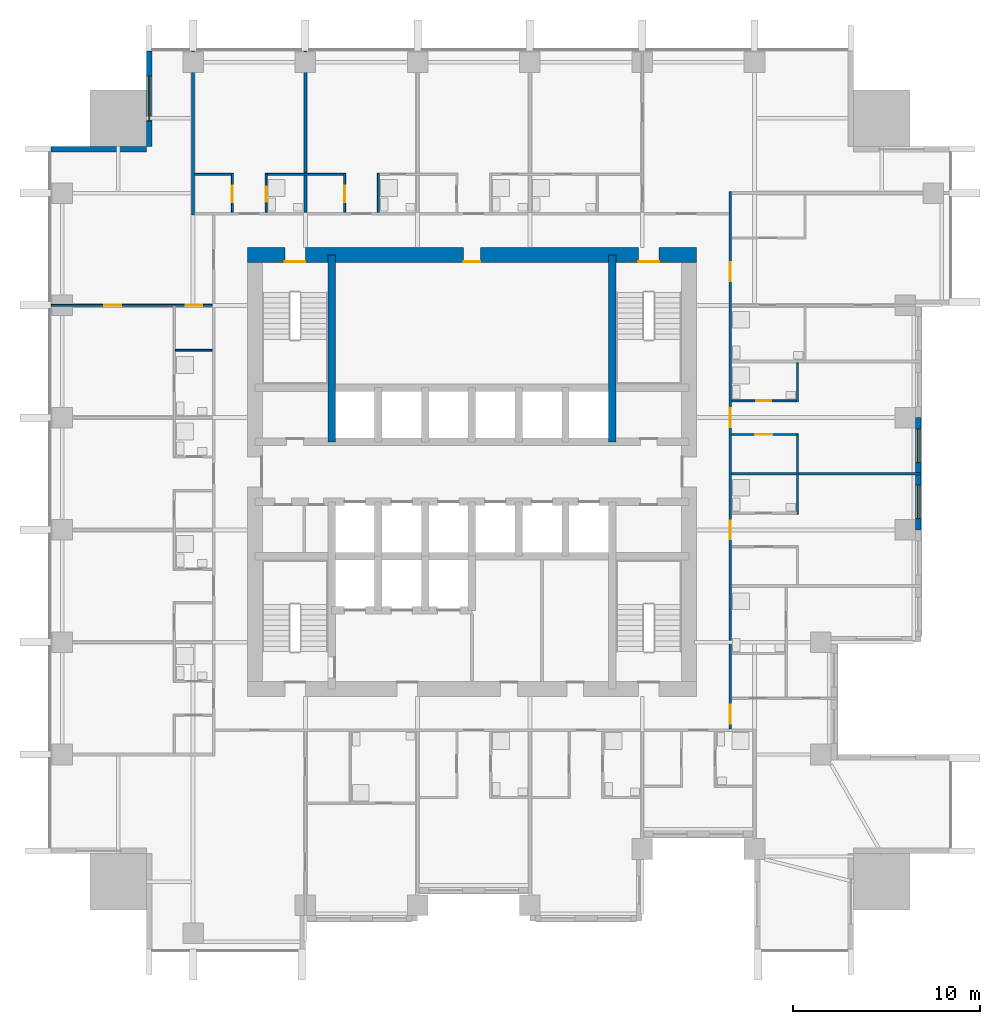
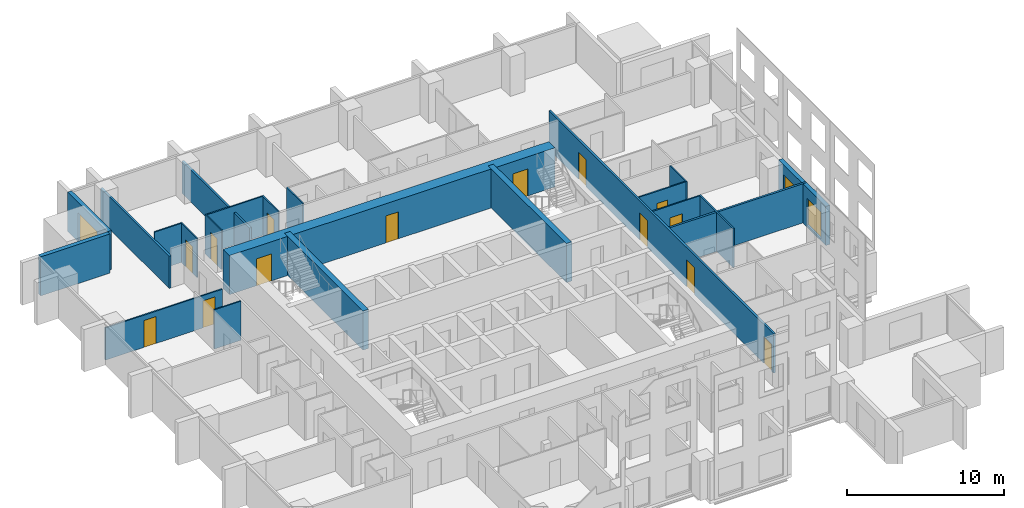
# One storey, part 7 of 12: 22 walls, 14 doors, 3 windows, 17 openings.
"""IFC4 building model written with IfcOpenShell, lengths in metres."""

from ifc_helpers import new_model, si_unit, direction, frame, frame_2d, origin, place, context, subcontext, project, spatial, rectangle, extrude, material, layer, layer_set, type_object, element, fill, save


model = new_model("IFC4")

# Units and contexts
model_context = context("Model", 3, precision=1e-05, world=origin(), true_north=direction((0.0, 1.0)))
body_context = subcontext(model_context, "Body", "Model", "MODEL_VIEW")
ifc_project = project(units=[si_unit("LENGTHUNIT", "METRE"), si_unit("AREAUNIT", "SQUARE_METRE"), si_unit("VOLUMEUNIT", "CUBIC_METRE"), si_unit("PLANEANGLEUNIT", "RADIAN"), si_unit("MASSUNIT", "GRAM", prefix="KILO")], contexts=[model_context])

# Site, building, storey
site_placement = place(None, origin())
site = spatial("IfcSite", under=ifc_project, at=site_placement, CompositionType="ELEMENT")
building_placement = place(site_placement, origin())
building = spatial("IfcBuilding", under=site, at=building_placement, Name="Amberfall Residences", CompositionType="ELEMENT")
storey_placement = place(building_placement, frame((0.0, 0.0, 88.60009765625)))
storey = spatial("IfcBuildingStorey", under=building, at=storey_placement, Name="L23", CompositionType="ELEMENT", Elevation=88.60009765625)

# Wall, opening, window
ifc_material_1 = material(Name="Pale stone cladding on insulated backing", Category="masonry")
ifc_layer_1 = layer(ifc_material_1, 0.300048828125)
ifc_layer_set_1 = layer_set([ifc_layer_1], Name="Bronze clad wall 300")
wall_type_1 = type_object("IfcWallType", Name="Bronze clad wall 300", PredefinedType="SOLIDWALL", material=ifc_layer_set_1)
wall_1_placement = place(storey_placement, frame((57.25, 68.0, 0.0), z_axis=(0.0, 0.0, 1.0), x_axis=(0.0, -1.0, 0.0)))
wall_1 = element("IfcWall", 1, at=wall_1_placement, inside=storey, type_object=wall_type_1, Name="External wall L23 NW", PredefinedType="SOLIDWALL", context=body_context, shape_type="SweptSolid", body=[
    extrude(rectangle(XDim=5.10009765625, YDim=0.300048828125, at=frame_2d((2.550048828125, 0.0))), origin(), (0.0, 0.0, 1.0), 3.0498046875),
])
opening_1_placement = place(wall_1_placement, frame((1.35009765625, 0.0, 0.14990234375)))
opening_1 = element("IfcOpeningElement", 2, at=opening_1_placement, cuts=wall_1, Name="Opening WN5", PredefinedType="OPENING", context=body_context, shape_type="SweptSolid", body=[
    extrude(rectangle(XDim=2.39990234375, YDim=2.10009765625, at=frame_2d((1.199951171875, 1.050048828125))), frame((0.0, 0.159912109375, 0.0), z_axis=(0.0, -1.0, 0.0), x_axis=(1.0, 0.0, 0.0)), (0.0, 0.0, 1.0), 0.320068359375),
])
ifc_material_2 = material(Name="Bronze aluminium framed glazing", Category="aluminium")
window_type_1 = type_object("IfcWindowType", Name="Glazed opening 2400 x 2100 bronze", PartitioningType="DOUBLE_PANEL_VERTICAL", PredefinedType="WINDOW", material=ifc_material_2)
window_1_placement = place(opening_1_placement, origin())
window_1 = element("IfcWindow", 3, at=window_1_placement, inside=storey, type_object=window_type_1, Name="Window L23 NW", OverallHeight=2.10009765625, OverallWidth=2.39990234375, PartitioningType="DOUBLE_PANEL_VERTICAL", PredefinedType="WINDOW", context=body_context, shape_type="SweptSolid", body=[
    extrude(rectangle(XDim=2.39990234375, YDim=2.10009765625, at=frame_2d((1.199951171875, 1.050048828125))), frame((0.0, 0.030029296875, 0.0), z_axis=(0.0, -1.0, 0.0), x_axis=(1.0, 0.0, 0.0)), (0.0, 0.0, 1.0), 0.06005859375),
])
fill(opening_1, window_1)

# Wall
wall_2_placement = place(storey_placement, frame((57.10009765625, 62.75, 0.0), z_axis=(0.0, 0.0, 1.0), x_axis=(-1.0, 0.0, 0.0)))
element("IfcWall", 4, at=wall_2_placement, inside=storey, type_object=wall_type_1, Name="External wall L23 NW", PredefinedType="SOLIDWALL", context=body_context, shape_type="SweptSolid", body=[
    extrude(rectangle(XDim=5.10009765625, YDim=0.300048828125, at=frame_2d((2.550048828125, 0.0))), origin(), (0.0, 0.0, 1.0), 3.0498046875),
])

# Wall, openings, windows
wall_3_placement = place(storey_placement, frame((98.35009765625, 42.39990234375, 0.0), z_axis=(0.0, 0.0, 1.0), x_axis=(0.0, 1.0, 0.0)))
wall_3 = element("IfcWall", 5, at=wall_3_placement, inside=storey, type_object=wall_type_1, Name="Stone wall L23 E", PredefinedType="SOLIDWALL", context=body_context, shape_type="SweptSolid", body=[
    extrude(rectangle(XDim=6.0, YDim=0.300048828125, at=frame_2d((3.0, 0.0))), origin(), (0.0, 0.0, 1.0), 3.0498046875),
])
opening_2_placement = place(wall_3_placement, frame((0.60009765625, 0.0, 0.14990234375)))
opening_2 = element("IfcOpeningElement", 6, at=opening_2_placement, cuts=wall_3, Name="Opening WN6", PredefinedType="OPENING", context=body_context, shape_type="SweptSolid", body=[
    extrude(rectangle(XDim=1.800048828125, YDim=2.10009765625, at=frame_2d((0.89990234375, 1.050048828125))), frame((0.0, 0.159912109375, 0.0), z_axis=(0.0, -1.0, 0.0), x_axis=(1.0, 0.0, 0.0)), (0.0, 0.0, 1.0), 0.320068359375),
])
opening_3_placement = place(wall_3_placement, frame((3.60009765625, 0.0, 0.14990234375)))
opening_3 = element("IfcOpeningElement", 7, at=opening_3_placement, cuts=wall_3, Name="Opening WN6", PredefinedType="OPENING", context=body_context, shape_type="SweptSolid", body=[
    extrude(rectangle(XDim=1.800048828125, YDim=2.10009765625, at=frame_2d((0.89990234375, 1.050048828125))), frame((0.0, 0.159912109375, 0.0), z_axis=(0.0, -1.0, 0.0), x_axis=(1.0, 0.0, 0.0)), (0.0, 0.0, 1.0), 0.320068359375),
])
window_type_2 = type_object("IfcWindowType", Name="Glazed opening 1800 x 2100 bronze", PartitioningType="DOUBLE_PANEL_VERTICAL", PredefinedType="WINDOW", material=ifc_material_2)
window_2_placement = place(opening_2_placement, origin())
window_2 = element("IfcWindow", 8, at=window_2_placement, inside=storey, type_object=window_type_2, Name="Window L23 E", OverallHeight=2.10009765625, OverallWidth=1.800048828125, PartitioningType="DOUBLE_PANEL_VERTICAL", PredefinedType="WINDOW", context=body_context, shape_type="SweptSolid", body=[
    extrude(rectangle(XDim=1.800048828125, YDim=2.10009765625, at=frame_2d((0.89990234375, 1.050048828125))), frame((0.0, 0.030029296875, 0.0), z_axis=(0.0, -1.0, 0.0), x_axis=(1.0, 0.0, 0.0)), (0.0, 0.0, 1.0), 0.06005859375),
])
fill(opening_2, window_2)
window_3_placement = place(opening_3_placement, origin())
window_3 = element("IfcWindow", 9, at=window_3_placement, inside=storey, type_object=window_type_2, Name="Window L23 E", OverallHeight=2.10009765625, OverallWidth=1.800048828125, PartitioningType="DOUBLE_PANEL_VERTICAL", PredefinedType="WINDOW", context=body_context, shape_type="SweptSolid", body=[
    extrude(rectangle(XDim=1.800048828125, YDim=2.10009765625, at=frame_2d((0.89990234375, 1.050048828125))), frame((0.0, 0.030029296875, 0.0), z_axis=(0.0, -1.0, 0.0), x_axis=(1.0, 0.0, 0.0)), (0.0, 0.0, 1.0), 0.06005859375),
])
fill(opening_3, window_3)

# Walls
ifc_material_3 = material(Name="Concrete C70", Category="concrete")
ifc_layer_2 = layer(ifc_material_3, 0.39990234375)
ifc_layer_set_2 = layer_set([ifc_layer_2], Name="Core wall 400 C70")
wall_type_2 = type_object("IfcWallType", Name="Core wall 400 C70", PredefinedType="SHEAR", material=ifc_layer_set_2)
for number, where, z_axis, x_axis, name in (
    (10, (67.0, 47.10009765625, 0.0), (0.0, 0.0, 1.0), (0.0, 1.0, 0.0), "Core wall RW4 L23 V45N"),
    (11, (82.0, 47.10009765625, 0.0), (0.0, 0.0, 1.0), (0.0, 1.0, 0.0), "Core wall RW4 L23 V195N"),
):
    element("IfcWall", number, at=place(storey_placement, frame(where, z_axis=z_axis, x_axis=x_axis)), inside=storey, type_object=wall_type_2, Name=name, PredefinedType="SHEAR", context=body_context, shape_type="SweptSolid", body=[
        extrude(rectangle(XDim=10.0, YDim=0.39990234375, at=frame_2d((5.0, 0.0))), origin(), (0.0, 0.0, 1.0), 3.0498046875),
    ])

# Wall, openings, doors
ifc_layer_3 = layer(ifc_material_3, 0.800048828125)
ifc_layer_set_3 = layer_set([ifc_layer_3], Name="Core wall 800 C70")
wall_type_3 = type_object("IfcWallType", Name="Core wall 800 C70", PredefinedType="SHEAR", material=ifc_layer_set_3)
wall_4_placement = place(storey_placement, frame((62.5, 57.10009765625, 0.0), z_axis=(0.0, 0.0, 1.0), x_axis=(1.0, 0.0, 0.0)))
wall_4 = element("IfcWall", 12, at=wall_4_placement, inside=storey, type_object=wall_type_3, Name="Core wall RW3 L23 ON", PredefinedType="SHEAR", context=body_context, shape_type="SweptSolid", body=[
    extrude(rectangle(XDim=24.0, YDim=0.800048828125, at=frame_2d((12.0, 0.0))), origin(), (0.0, 0.0, 1.0), 3.0498046875),
])
opening_4_placement = place(wall_4_placement, frame((20.89990234375, 0.0, 0.0)))
opening_4 = element("IfcOpeningElement", 13, at=opening_4_placement, cuts=wall_4, Name="Opening SD1", PredefinedType="OPENING", context=body_context, shape_type="SweptSolid", body=[
    extrude(rectangle(XDim=1.10009765625, YDim=2.10009765625, at=frame_2d((0.550048828125, 1.050048828125))), frame((0.0, 0.409912109375, 0.0), z_axis=(0.0, -1.0, 0.0), x_axis=(1.0, 0.0, 0.0)), (0.0, 0.0, 1.0), 0.820068359375),
])
opening_5_placement = place(wall_4_placement, frame((2.0, 0.0, 0.0)))
opening_5 = element("IfcOpeningElement", 14, at=opening_5_placement, cuts=wall_4, Name="Opening SD1", PredefinedType="OPENING", context=body_context, shape_type="SweptSolid", body=[
    extrude(rectangle(XDim=1.10009765625, YDim=2.10009765625, at=frame_2d((0.550048828125, 1.050048828125))), frame((0.0, 0.409912109375, 0.0), z_axis=(0.0, -1.0, 0.0), x_axis=(1.0, 0.0, 0.0)), (0.0, 0.0, 1.0), 0.820068359375),
])
opening_6_placement = place(wall_4_placement, frame((11.550048828125, 0.0, 0.0)))
opening_6 = element("IfcOpeningElement", 15, at=opening_6_placement, cuts=wall_4, Name="Opening RD1", PredefinedType="OPENING", context=body_context, shape_type="SweptSolid", body=[
    extrude(rectangle(XDim=0.89990234375, YDim=2.10009765625, at=frame_2d((0.449951171875, 1.050048828125))), frame((0.0, 0.409912109375, 0.0), z_axis=(0.0, -1.0, 0.0), x_axis=(1.0, 0.0, 0.0)), (0.0, 0.0, 1.0), 0.820068359375),
])
ifc_material_4 = material(Name="Steel fire door set", Category="steel")
door_type_1 = type_object("IfcDoorType", Name="Service room door 900 x 2100", OperationType="SINGLE_SWING_LEFT", PredefinedType="DOOR", material=ifc_material_4)
door_1_placement = place(opening_6_placement, origin())
door_1 = element("IfcDoor", 16, at=door_1_placement, inside=storey, type_object=door_type_1, Name="RD1 L23", OperationType="SINGLE_SWING_RIGHT", OverallHeight=2.10009765625, OverallWidth=0.89990234375, PredefinedType="DOOR", context=body_context, shape_type="SweptSolid", body=[
    extrude(rectangle(XDim=0.89990234375, YDim=2.10009765625, at=frame_2d((0.449951171875, 1.050048828125))), frame((0.0, -0.33740234375, 0.0), z_axis=(0.0, -1.0, 0.0), x_axis=(1.0, 0.0, 0.0)), (0.0, 0.0, 1.0), 0.050048828125),
])
fill(opening_6, door_1)
door_type_2 = type_object("IfcDoorType", Name="Stair door 1100 x 2100", OperationType="SINGLE_SWING_LEFT", PredefinedType="DOOR", material=ifc_material_4)
door_2_placement = place(opening_4_placement, origin())
door_2 = element("IfcDoor", 17, at=door_2_placement, inside=storey, type_object=door_type_2, Name="SD1 L23", OperationType="SINGLE_SWING_RIGHT", OverallHeight=2.10009765625, OverallWidth=1.10009765625, PredefinedType="DOOR", context=body_context, shape_type="SweptSolid", body=[
    extrude(rectangle(XDim=1.10009765625, YDim=2.10009765625, at=frame_2d((0.550048828125, 1.050048828125))), frame((0.0, -0.33740234375, 0.0), z_axis=(0.0, -1.0, 0.0), x_axis=(1.0, 0.0, 0.0)), (0.0, 0.0, 1.0), 0.050048828125),
])
fill(opening_4, door_2)
door_3_placement = place(opening_5_placement, origin())
door_3 = element("IfcDoor", 18, at=door_3_placement, inside=storey, type_object=door_type_2, Name="SD1 L23", OperationType="SINGLE_SWING_LEFT", OverallHeight=2.10009765625, OverallWidth=1.10009765625, PredefinedType="DOOR", context=body_context, shape_type="SweptSolid", body=[
    extrude(rectangle(XDim=1.10009765625, YDim=2.10009765625, at=frame_2d((0.550048828125, 1.050048828125))), frame((0.0, -0.33740234375, 0.0), z_axis=(0.0, -1.0, 0.0), x_axis=(1.0, 0.0, 0.0)), (0.0, 0.0, 1.0), 0.050048828125),
])
fill(opening_5, door_3)

# Wall, opening, door
ifc_material_5 = material(Name="Gypsum board on metal stud")
ifc_layer_4 = layer(ifc_material_5, 0.10009765625)
ifc_layer_set_4 = layer_set([ifc_layer_4], Name="Flat partition 100")
wall_type_4 = type_object("IfcWallType", Name="Flat partition 100", PredefinedType="PARTITIONING", material=ifc_layer_set_4)
wall_5_placement = place(storey_placement, frame((61.699951171875, 59.375, 0.0), z_axis=(0.0, 0.0, 1.0), x_axis=(0.0, 1.0, 0.0)))
wall_5 = element("IfcWall", 19, at=wall_5_placement, inside=storey, type_object=wall_type_4, Name="Partition 005", PredefinedType="PARTITIONING", context=body_context, shape_type="SweptSolid", body=[
    extrude(rectangle(XDim=2.074951171875, YDim=0.10009765625, at=frame_2d((1.03759765625, 0.0))), origin(), (0.0, 0.0, 1.0), 3.0498046875),
])
opening_7_placement = place(wall_5_placement, frame((0.52490234375, 0.0, 0.0)))
opening_7 = element("IfcOpeningElement", 20, at=opening_7_placement, cuts=wall_5, Name="Opening D41", PredefinedType="OPENING", context=body_context, shape_type="SweptSolid", body=[
    extrude(rectangle(XDim=0.89990234375, YDim=2.10009765625, at=frame_2d((0.449951171875, 1.050048828125))), frame((0.0, 0.06005859375, 0.0), z_axis=(0.0, -1.0, 0.0), x_axis=(1.0, 0.0, 0.0)), (0.0, 0.0, 1.0), 0.1201171875),
])
ifc_material_6 = material(Name="Timber", Category="wood")
door_type_3 = type_object("IfcDoorType", Name="Internal door 900 x 2100", OperationType="SINGLE_SWING_LEFT", PredefinedType="DOOR", material=ifc_material_6)
door_4_placement = place(opening_7_placement, origin())
door_4 = element("IfcDoor", 21, at=door_4_placement, inside=storey, type_object=door_type_3, Name="Door 2309 kitchen", OperationType="SINGLE_SWING_LEFT", OverallHeight=2.10009765625, OverallWidth=0.89990234375, PredefinedType="DOOR", context=body_context, shape_type="SweptSolid", body=[
    extrude(rectangle(XDim=0.89990234375, YDim=2.10009765625, at=frame_2d((0.449951171875, 1.050048828125))), frame((0.0, 0.02490234375, 0.0), z_axis=(0.0, -1.0, 0.0), x_axis=(1.0, 0.0, 0.0)), (0.0, 0.0, 1.0), 0.050048828125),
])
fill(opening_7, door_4)

wall_6_placement = place(storey_placement, frame((63.5, 61.449951171875, 0.0), z_axis=(0.0, 0.0, 1.0), x_axis=(0.0, -1.0, 0.0)))
wall_6 = element("IfcWall", 22, at=wall_6_placement, inside=storey, type_object=wall_type_4, Name="Partition 006", PredefinedType="PARTITIONING", context=body_context, shape_type="SweptSolid", body=[
    extrude(rectangle(XDim=2.074951171875, YDim=0.10009765625, at=frame_2d((1.03759765625, 0.0))), origin(), (0.0, 0.0, 1.0), 3.0498046875),
])
opening_8_placement = place(wall_6_placement, frame((0.699951171875, 0.0, 0.0)))
opening_8 = element("IfcOpeningElement", 23, at=opening_8_placement, cuts=wall_6, Name="Opening D42", PredefinedType="OPENING", context=body_context, shape_type="SweptSolid", body=[
    extrude(rectangle(XDim=0.800048828125, YDim=2.10009765625, at=frame_2d((0.39990234375, 1.050048828125))), frame((0.0, 0.06005859375, 0.0), z_axis=(0.0, -1.0, 0.0), x_axis=(1.0, 0.0, 0.0)), (0.0, 0.0, 1.0), 0.1201171875),
])
door_type_4 = type_object("IfcDoorType", Name="Bathroom door 800 x 2100", OperationType="SINGLE_SWING_LEFT", PredefinedType="DOOR", material=ifc_material_6)
door_5_placement = place(opening_8_placement, origin())
door_5 = element("IfcDoor", 24, at=door_5_placement, inside=storey, type_object=door_type_4, Name="Door 2309 bath1", OperationType="SINGLE_SWING_LEFT", OverallHeight=2.10009765625, OverallWidth=0.800048828125, PredefinedType="DOOR", context=body_context, shape_type="SweptSolid", body=[
    extrude(rectangle(XDim=0.800048828125, YDim=2.10009765625, at=frame_2d((0.39990234375, 1.050048828125))), frame((0.0, 0.02490234375, 0.0), z_axis=(0.0, -1.0, 0.0), x_axis=(1.0, 0.0, 0.0)), (0.0, 0.0, 1.0), 0.050048828125),
])
fill(opening_8, door_5)

wall_7_placement = place(storey_placement, frame((67.699951171875, 59.375, 0.0), z_axis=(0.0, 0.0, 1.0), x_axis=(0.0, 1.0, 0.0)))
wall_7 = element("IfcWall", 25, at=wall_7_placement, inside=storey, type_object=wall_type_4, Name="Partition 008", PredefinedType="PARTITIONING", context=body_context, shape_type="SweptSolid", body=[
    extrude(rectangle(XDim=2.074951171875, YDim=0.10009765625, at=frame_2d((1.03759765625, 0.0))), origin(), (0.0, 0.0, 1.0), 3.0498046875),
])
opening_9_placement = place(wall_7_placement, frame((0.52490234375, 0.0, 0.0)))
opening_9 = element("IfcOpeningElement", 26, at=opening_9_placement, cuts=wall_7, Name="Opening D41", PredefinedType="OPENING", context=body_context, shape_type="SweptSolid", body=[
    extrude(rectangle(XDim=0.89990234375, YDim=2.10009765625, at=frame_2d((0.449951171875, 1.050048828125))), frame((0.0, 0.06005859375, 0.0), z_axis=(0.0, -1.0, 0.0), x_axis=(1.0, 0.0, 0.0)), (0.0, 0.0, 1.0), 0.1201171875),
])
door_6_placement = place(opening_9_placement, origin())
door_6 = element("IfcDoor", 27, at=door_6_placement, inside=storey, type_object=door_type_3, Name="Door 2310 kitchen", OperationType="SINGLE_SWING_LEFT", OverallHeight=2.10009765625, OverallWidth=0.89990234375, PredefinedType="DOOR", context=body_context, shape_type="SweptSolid", body=[
    extrude(rectangle(XDim=0.89990234375, YDim=2.10009765625, at=frame_2d((0.449951171875, 1.050048828125))), frame((0.0, 0.02490234375, 0.0), z_axis=(0.0, -1.0, 0.0), x_axis=(1.0, 0.0, 0.0)), (0.0, 0.0, 1.0), 0.050048828125),
])
fill(opening_9, door_6)

# Walls
wall_8_placement = place(storey_placement, frame((69.5, 59.375, 0.0), z_axis=(0.0, 0.0, 1.0), x_axis=(0.0, 1.0, 0.0)))
element("IfcWall", 28, at=wall_8_placement, inside=storey, type_object=wall_type_4, Name="Partition 010", PredefinedType="PARTITIONING", context=body_context, shape_type="SweptSolid", body=[
    extrude(rectangle(XDim=2.074951171875, YDim=0.10009765625, at=frame_2d((1.03759765625, 0.0))), origin(), (0.0, 0.0, 1.0), 3.0498046875),
])
wall_9_placement = place(storey_placement, frame((91.89990234375, 43.25, 0.0), z_axis=(0.0, 0.0, 1.0), x_axis=(0.0, 1.0, 0.0)))
element("IfcWall", 29, at=wall_9_placement, inside=storey, type_object=wall_type_4, Name="Partition 023", PredefinedType="PARTITIONING", context=body_context, shape_type="SweptSolid", body=[
    extrude(rectangle(XDim=4.300048828125, YDim=0.10009765625, at=frame_2d((2.14990234375, 0.0))), origin(), (0.0, 0.0, 1.0), 3.0498046875),
])
wall_10_placement = place(storey_placement, frame((91.89990234375, 49.25, 0.0), z_axis=(0.0, 0.0, 1.0), x_axis=(0.0, 1.0, 0.0)))
element("IfcWall", 30, at=wall_10_placement, inside=storey, type_object=wall_type_4, Name="Partition 024", PredefinedType="PARTITIONING", context=body_context, shape_type="SweptSolid", body=[
    extrude(rectangle(XDim=2.074951171875, YDim=0.10009765625, at=frame_2d((1.03759765625, 0.0))), origin(), (0.0, 0.0, 1.0), 3.0498046875),
])
wall_11_placement = place(storey_placement, frame((59.675048828125, 61.39990234375, 0.0), z_axis=(0.0, 0.0, 1.0), x_axis=(1.0, 0.0, 0.0)))
element("IfcWall", 31, at=wall_11_placement, inside=storey, type_object=wall_type_4, Name="Partition 027", PredefinedType="PARTITIONING", context=body_context, shape_type="SweptSolid", body=[
    extrude(rectangle(XDim=1.974853515625, YDim=0.10009765625, at=frame_2d((0.9873046875, 0.0))), origin(), (0.0, 0.0, 1.0), 3.0498046875),
])
wall_12_placement = place(storey_placement, frame((63.550048828125, 61.39990234375, 0.0), z_axis=(0.0, 0.0, 1.0), x_axis=(1.0, 0.0, 0.0)))
element("IfcWall", 32, at=wall_12_placement, inside=storey, type_object=wall_type_4, Name="Partition 028", PredefinedType="PARTITIONING", context=body_context, shape_type="SweptSolid", body=[
    extrude(rectangle(XDim=4.099853515625, YDim=0.10009765625, at=frame_2d((2.0498046875, 0.0))), origin(), (0.0, 0.0, 1.0), 3.0498046875),
])

# Wall, openings, doors
wall_13_placement = place(storey_placement, frame((60.625, 54.39990234375, 0.0), z_axis=(0.0, 0.0, 1.0), x_axis=(-1.0, 0.0, 0.0)))
wall_13 = element("IfcWall", 33, at=wall_13_placement, inside=storey, type_object=wall_type_4, Name="Partition 032", PredefinedType="PARTITIONING", context=body_context, shape_type="SweptSolid", body=[
    extrude(rectangle(XDim=8.625, YDim=0.10009765625, at=frame_2d((4.3125, 0.0))), origin(), (0.0, 0.0, 1.0), 2.515869140625),
])
opening_10_placement = place(wall_13_placement, frame((0.52490234375, 0.0, 0.0)))
opening_10 = element("IfcOpeningElement", 34, at=opening_10_placement, cuts=wall_13, Name="Opening D41", PredefinedType="OPENING", context=body_context, shape_type="SweptSolid", body=[
    extrude(rectangle(XDim=0.89990234375, YDim=2.10009765625, at=frame_2d((0.449951171875, 1.050048828125))), frame((0.0, 0.06005859375, 0.0), z_axis=(0.0, -1.0, 0.0), x_axis=(1.0, 0.0, 0.0)), (0.0, 0.0, 1.0), 0.1201171875),
])
opening_11_placement = place(wall_13_placement, frame((4.875, 0.0, 0.0)))
opening_11 = element("IfcOpeningElement", 35, at=opening_11_placement, cuts=wall_13, Name="Opening D41", PredefinedType="OPENING", context=body_context, shape_type="SweptSolid", body=[
    extrude(rectangle(XDim=0.89990234375, YDim=2.10009765625, at=frame_2d((0.449951171875, 1.050048828125))), frame((0.0, 0.06005859375, 0.0), z_axis=(0.0, -1.0, 0.0), x_axis=(1.0, 0.0, 0.0)), (0.0, 0.0, 1.0), 0.1201171875),
])
door_7_placement = place(opening_10_placement, origin())
door_7 = element("IfcDoor", 36, at=door_7_placement, inside=storey, type_object=door_type_3, Name="Door 2316 kitchen", OperationType="SINGLE_SWING_LEFT", OverallHeight=2.10009765625, OverallWidth=0.89990234375, PredefinedType="DOOR", context=body_context, shape_type="SweptSolid", body=[
    extrude(rectangle(XDim=0.89990234375, YDim=2.10009765625, at=frame_2d((0.449951171875, 1.050048828125))), frame((0.0, 0.02490234375, 0.0), z_axis=(0.0, -1.0, 0.0), x_axis=(1.0, 0.0, 0.0)), (0.0, 0.0, 1.0), 0.050048828125),
])
fill(opening_10, door_7)
door_8_placement = place(opening_11_placement, origin())
door_8 = element("IfcDoor", 37, at=door_8_placement, inside=storey, type_object=door_type_3, Name="Door 2316 bedroom1", OperationType="SINGLE_SWING_LEFT", OverallHeight=2.10009765625, OverallWidth=0.89990234375, PredefinedType="DOOR", context=body_context, shape_type="SweptSolid", body=[
    extrude(rectangle(XDim=0.89990234375, YDim=2.10009765625, at=frame_2d((0.449951171875, 1.050048828125))), frame((0.0, 0.02490234375, 0.0), z_axis=(0.0, -1.0, 0.0), x_axis=(1.0, 0.0, 0.0)), (0.0, 0.0, 1.0), 0.050048828125),
])
fill(opening_11, door_8)

# Wall
wall_14_placement = place(storey_placement, frame((58.64990234375, 52.0, 0.0), z_axis=(0.0, 0.0, 1.0), x_axis=(1.0, 0.0, 0.0)))
element("IfcWall", 38, at=wall_14_placement, inside=storey, type_object=wall_type_4, Name="Partition 034", PredefinedType="PARTITIONING", context=body_context, shape_type="SweptSolid", body=[
    extrude(rectangle(XDim=1.97509765625, YDim=0.10009765625, at=frame_2d((0.987548828125, 0.0))), origin(), (0.0, 0.0, 1.0), 3.0498046875),
])

# Wall, opening, door
wall_15_placement = place(storey_placement, frame((88.375, 49.300048828125, 0.0), z_axis=(0.0, 0.0, 1.0), x_axis=(1.0, 0.0, 0.0)))
wall_15 = element("IfcWall", 39, at=wall_15_placement, inside=storey, type_object=wall_type_4, Name="Partition 035", PredefinedType="PARTITIONING", context=body_context, shape_type="SweptSolid", body=[
    extrude(rectangle(XDim=3.47509765625, YDim=0.10009765625, at=frame_2d((1.737548828125, 0.0))), origin(), (0.0, 0.0, 1.0), 3.0498046875),
])
opening_12_placement = place(wall_15_placement, frame((1.324951171875, 0.0, 0.0)))
opening_12 = element("IfcOpeningElement", 40, at=opening_12_placement, cuts=wall_15, Name="Opening D42", PredefinedType="OPENING", context=body_context, shape_type="SweptSolid", body=[
    extrude(rectangle(XDim=0.800048828125, YDim=2.10009765625, at=frame_2d((0.39990234375, 1.050048828125))), frame((0.0, 0.06005859375, 0.0), z_axis=(0.0, -1.0, 0.0), x_axis=(1.0, 0.0, 0.0)), (0.0, 0.0, 1.0), 0.1201171875),
])
door_9_placement = place(opening_12_placement, origin())
door_9 = element("IfcDoor", 41, at=door_9_placement, inside=storey, type_object=door_type_4, Name="Door 2307 bath1", OperationType="SINGLE_SWING_LEFT", OverallHeight=2.10009765625, OverallWidth=0.800048828125, PredefinedType="DOOR", context=body_context, shape_type="SweptSolid", body=[
    extrude(rectangle(XDim=0.800048828125, YDim=2.10009765625, at=frame_2d((0.39990234375, 1.050048828125))), frame((0.0, 0.02490234375, 0.0), z_axis=(0.0, -1.0, 0.0), x_axis=(1.0, 0.0, 0.0)), (0.0, 0.0, 1.0), 0.050048828125),
])
fill(opening_12, door_9)

wall_16_placement = place(storey_placement, frame((91.85009765625, 47.5, 0.0), z_axis=(0.0, 0.0, 1.0), x_axis=(-1.0, 0.0, 0.0)))
wall_16 = element("IfcWall", 42, at=wall_16_placement, inside=storey, type_object=wall_type_4, Name="Partition 036", PredefinedType="PARTITIONING", context=body_context, shape_type="SweptSolid", body=[
    extrude(rectangle(XDim=3.47509765625, YDim=0.10009765625, at=frame_2d((1.737548828125, 0.0))), origin(), (0.0, 0.0, 1.0), 3.0498046875),
])
opening_13_placement = place(wall_16_placement, frame((1.300048828125, 0.0, 0.0)))
opening_13 = element("IfcOpeningElement", 43, at=opening_13_placement, cuts=wall_16, Name="Opening D41", PredefinedType="OPENING", context=body_context, shape_type="SweptSolid", body=[
    extrude(rectangle(XDim=0.89990234375, YDim=2.10009765625, at=frame_2d((0.449951171875, 1.050048828125))), frame((0.0, 0.06005859375, 0.0), z_axis=(0.0, -1.0, 0.0), x_axis=(1.0, 0.0, 0.0)), (0.0, 0.0, 1.0), 0.1201171875),
])
door_10_placement = place(opening_13_placement, origin())
door_10 = element("IfcDoor", 44, at=door_10_placement, inside=storey, type_object=door_type_3, Name="Door 2307 kitchen", OperationType="SINGLE_SWING_LEFT", OverallHeight=2.10009765625, OverallWidth=0.89990234375, PredefinedType="DOOR", context=body_context, shape_type="SweptSolid", body=[
    extrude(rectangle(XDim=0.89990234375, YDim=2.10009765625, at=frame_2d((0.449951171875, 1.050048828125))), frame((0.0, 0.02490234375, 0.0), z_axis=(0.0, -1.0, 0.0), x_axis=(1.0, 0.0, 0.0)), (0.0, 0.0, 1.0), 0.050048828125),
])
fill(opening_13, door_10)

# Walls
ifc_material_7 = material(Name="Blockwork, plastered", Category="masonry")
ifc_layer_5 = layer(ifc_material_7, 0.14990234375)
ifc_layer_set_5 = layer_set([ifc_layer_5], Name="Flat separating wall 150")
wall_type_5 = type_object("IfcWallType", Name="Flat separating wall 150", PredefinedType="PARTITIONING", material=ifc_layer_set_5)
wall_17_placement = place(storey_placement, frame((59.60009765625, 59.22509765625, 0.0), z_axis=(0.0, 0.0, 1.0), x_axis=(0.0, 1.0, 0.0)))
element("IfcWall", 45, at=wall_17_placement, inside=storey, type_object=wall_type_5, Name="Separating wall 053", PredefinedType="PARTITIONING", context=body_context, shape_type="SweptSolid", body=[
    extrude(rectangle(XDim=8.77490234375, YDim=0.14990234375, at=frame_2d((4.387451171875, 0.0))), origin(), (0.0, 0.0, 1.0), 2.510009765625),
])
wall_18_placement = place(storey_placement, frame((65.60009765625, 59.375, 0.0), z_axis=(0.0, 0.0, 1.0), x_axis=(0.0, 1.0, 0.0)))
element("IfcWall", 46, at=wall_18_placement, inside=storey, type_object=wall_type_5, Name="Separating wall 055", PredefinedType="PARTITIONING", context=body_context, shape_type="SweptSolid", body=[
    extrude(rectangle(XDim=8.625, YDim=0.14990234375, at=frame_2d((4.3125, 0.0))), origin(), (0.0, 0.0, 1.0), 2.515869140625),
])

# Wall, openings, doors
wall_19_placement = place(storey_placement, frame((88.300048828125, 60.47509765625, 0.0), z_axis=(0.0, 0.0, 1.0), x_axis=(0.0, -1.0, 0.0)))
wall_19 = element("IfcWall", 47, at=wall_19_placement, inside=storey, type_object=wall_type_5, Name="Separating wall 061", PredefinedType="PARTITIONING", context=body_context, shape_type="SweptSolid", body=[
    extrude(rectangle(XDim=28.7001953125, YDim=0.14990234375, at=frame_2d((14.35009765625, 0.0))), origin(), (0.0, 0.0, 1.0), 3.0498046875),
])
opening_14_placement = place(wall_19_placement, frame((27.425048828125, 0.0, 0.0)))
opening_14 = element("IfcOpeningElement", 48, at=opening_14_placement, cuts=wall_19, Name="Opening D40", PredefinedType="OPENING", context=body_context, shape_type="SweptSolid", body=[
    extrude(rectangle(XDim=1.0, YDim=2.10009765625, at=frame_2d((0.5, 1.050048828125))), frame((0.0, 0.0849609375, 0.0), z_axis=(0.0, -1.0, 0.0), x_axis=(1.0, 0.0, 0.0)), (0.0, 0.0, 1.0), 0.169921875),
])
opening_15_placement = place(wall_19_placement, frame((17.574951171875, 0.0, 0.0)))
opening_15 = element("IfcOpeningElement", 49, at=opening_15_placement, cuts=wall_19, Name="Opening D40", PredefinedType="OPENING", context=body_context, shape_type="SweptSolid", body=[
    extrude(rectangle(XDim=1.0, YDim=2.10009765625, at=frame_2d((0.5, 1.050048828125))), frame((0.0, 0.0849609375, 0.0), z_axis=(0.0, -1.0, 0.0), x_axis=(1.0, 0.0, 0.0)), (0.0, 0.0, 1.0), 0.169921875),
])
opening_16_placement = place(wall_19_placement, frame((11.574951171875, 0.0, 0.0)))
opening_16 = element("IfcOpeningElement", 50, at=opening_16_placement, cuts=wall_19, Name="Opening D40", PredefinedType="OPENING", context=body_context, shape_type="SweptSolid", body=[
    extrude(rectangle(XDim=1.0, YDim=2.10009765625, at=frame_2d((0.5, 1.050048828125))), frame((0.0, 0.0849609375, 0.0), z_axis=(0.0, -1.0, 0.0), x_axis=(1.0, 0.0, 0.0)), (0.0, 0.0, 1.0), 0.169921875),
])
opening_17_placement = place(wall_19_placement, frame((3.77490234375, 0.0, 0.0)))
opening_17 = element("IfcOpeningElement", 51, at=opening_17_placement, cuts=wall_19, Name="Opening D40", PredefinedType="OPENING", context=body_context, shape_type="SweptSolid", body=[
    extrude(rectangle(XDim=1.0, YDim=2.10009765625, at=frame_2d((0.5, 1.050048828125))), frame((0.0, 0.0849609375, 0.0), z_axis=(0.0, -1.0, 0.0), x_axis=(1.0, 0.0, 0.0)), (0.0, 0.0, 1.0), 0.169921875),
])
ifc_material_8 = material(Name="Timber, fire-rated", Category="wood")
door_type_5 = type_object("IfcDoorType", Name="Flat entrance door FD60 1000 x 2100", OperationType="SINGLE_SWING_LEFT", PredefinedType="DOOR", material=ifc_material_8)
door_11_placement = place(opening_14_placement, origin())
door_11 = element("IfcDoor", 52, at=door_11_placement, inside=storey, type_object=door_type_5, Name="Door 2305 entrance", OperationType="SINGLE_SWING_LEFT", OverallHeight=2.10009765625, OverallWidth=1.0, PredefinedType="DOOR", context=body_context, shape_type="SweptSolid", body=[
    extrude(rectangle(XDim=1.0, YDim=2.10009765625, at=frame_2d((0.5, 1.050048828125))), frame((0.0, 0.02490234375, 0.0), z_axis=(0.0, -1.0, 0.0), x_axis=(1.0, 0.0, 0.0)), (0.0, 0.0, 1.0), 0.050048828125),
])
fill(opening_14, door_11)
door_12_placement = place(opening_15_placement, origin())
door_12 = element("IfcDoor", 53, at=door_12_placement, inside=storey, type_object=door_type_5, Name="Door 2306 entrance", OperationType="SINGLE_SWING_LEFT", OverallHeight=2.10009765625, OverallWidth=1.0, PredefinedType="DOOR", context=body_context, shape_type="SweptSolid", body=[
    extrude(rectangle(XDim=1.0, YDim=2.10009765625, at=frame_2d((0.5, 1.050048828125))), frame((0.0, 0.02490234375, 0.0), z_axis=(0.0, -1.0, 0.0), x_axis=(1.0, 0.0, 0.0)), (0.0, 0.0, 1.0), 0.050048828125),
])
fill(opening_15, door_12)
door_13_placement = place(opening_16_placement, origin())
door_13 = element("IfcDoor", 54, at=door_13_placement, inside=storey, type_object=door_type_5, Name="Door 2307 entrance", OperationType="SINGLE_SWING_LEFT", OverallHeight=2.10009765625, OverallWidth=1.0, PredefinedType="DOOR", context=body_context, shape_type="SweptSolid", body=[
    extrude(rectangle(XDim=1.0, YDim=2.10009765625, at=frame_2d((0.5, 1.050048828125))), frame((0.0, 0.02490234375, 0.0), z_axis=(0.0, -1.0, 0.0), x_axis=(1.0, 0.0, 0.0)), (0.0, 0.0, 1.0), 0.050048828125),
])
fill(opening_16, door_13)
door_14_placement = place(opening_17_placement, origin())
door_14 = element("IfcDoor", 55, at=door_14_placement, inside=storey, type_object=door_type_5, Name="Door 2308 entrance", OperationType="SINGLE_SWING_LEFT", OverallHeight=2.10009765625, OverallWidth=1.0, PredefinedType="DOOR", context=body_context, shape_type="SweptSolid", body=[
    extrude(rectangle(XDim=1.0, YDim=2.10009765625, at=frame_2d((0.5, 1.050048828125))), frame((0.0, 0.02490234375, 0.0), z_axis=(0.0, -1.0, 0.0), x_axis=(1.0, 0.0, 0.0)), (0.0, 0.0, 1.0), 0.050048828125),
])
fill(opening_17, door_14)

# Wall
wall_20_placement = place(storey_placement, frame((88.375, 45.39990234375, 0.0), z_axis=(0.0, 0.0, 1.0), x_axis=(1.0, 0.0, 0.0)))
element("IfcWall", 56, at=wall_20_placement, inside=storey, type_object=wall_type_5, Name="Separating wall 067", PredefinedType="PARTITIONING", context=body_context, shape_type="SweptSolid", body=[
    extrude(rectangle(XDim=10.125, YDim=0.14990234375, at=frame_2d((5.0625, 0.0))), origin(), (0.0, 0.0, 1.0), 3.0498046875),
])

save(model, "model.ifc")
